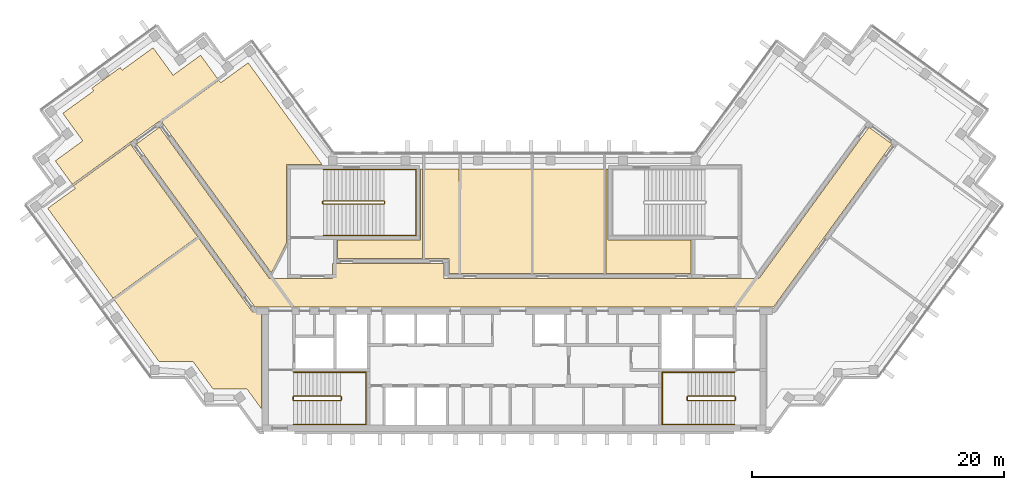
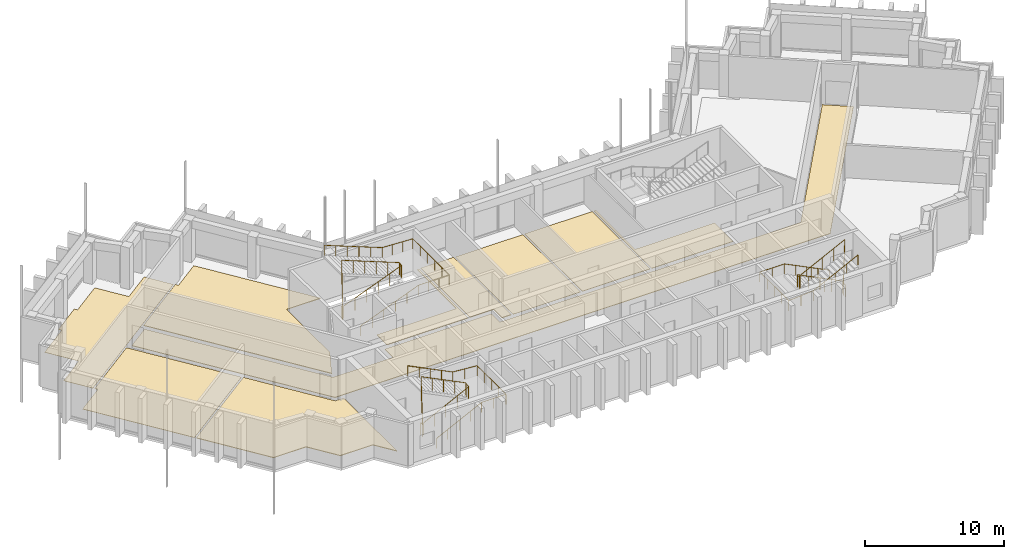
# One storey, part 13 of 14: 10 coverings, 6 railings.
"""IFC4 building model written with IfcOpenShell, lengths in metres."""

from ifc_helpers import new_model, si_unit, direction, frame, origin, origin_2d, place, context, subcontext, project, spatial, polyline, circle, outline, extrude, material, layer, layer_set, type_object, element, save


model = new_model("IFC4")

# Units and contexts
model_context = context("Model", 3, precision=1e-05, world=origin(), true_north=direction((0.0, 1.0)))
body_context = subcontext(model_context, "Body", "Model", "MODEL_VIEW")
ifc_project = project(units=[si_unit("LENGTHUNIT", "METRE"), si_unit("AREAUNIT", "SQUARE_METRE"), si_unit("VOLUMEUNIT", "CUBIC_METRE"), si_unit("PLANEANGLEUNIT", "RADIAN"), si_unit("MASSUNIT", "GRAM", prefix="KILO")], contexts=[model_context])

# Site, building, storey
site_placement = place(None, origin())
site = spatial("IfcSite", under=ifc_project, at=site_placement, CompositionType="ELEMENT")
building_placement = place(site_placement, origin())
building = spatial("IfcBuilding", under=site, at=building_placement, Name="Quipu Civic Tower", CompositionType="ELEMENT")
storey_placement = place(building_placement, frame((0.0, 0.0, 335.0)))
storey = spatial("IfcBuildingStorey", under=building, at=storey_placement, Name="L78", CompositionType="ELEMENT", Elevation=335.0)

# Coverings
ifc_material_1 = material(Name="Carpet tile on raised access floor")
ifc_layer_1 = layer(ifc_material_1, 0.02001953125)
ifc_layer_set_1 = layer_set([ifc_layer_1], Name="Carpet tile on raised access floor")
covering_type_1 = type_object("IfcCoveringType", Name="Carpet tile floor finish 20", PredefinedType="FLOORING", material=ifc_layer_set_1)
covering_1_placement = place(storey_placement, origin())
element("IfcCovering", 1, at=covering_1_placement, inside=storey, type_object=covering_type_1, Name="Carpet tile floor finish 20", PredefinedType="FLOORING", context=body_context, shape_type="SweptSolid", body=[
    extrude(outline(polyline([(-36.425048828125, 10.47705078125), (-34.240966796875, 12.06396484375), (-35.826904296875, 14.248046875), (-33.3701171875, 16.032958984375), (-33.52197265625, 16.2451171875), (-31.27099609375, 17.8798828125), (-31.116943359375, 17.6708984375), (-28.658935546875, 19.455078125), (-27.073974609375, 17.27197265625), (-24.888916015625, 18.85791015625), (-23.531005859375, 16.989013671875), (-35.068115234375, 8.60791015625), (-36.425048828125, 10.47705078125)])), origin(), (0.0, 0.0, 1.0), 0.02001953125),
])
covering_2_placement = place(storey_placement, origin())
element("IfcCovering", 2, at=covering_2_placement, inside=storey, type_object=covering_type_1, Name="Carpet tile floor finish 20", PredefinedType="FLOORING", context=body_context, shape_type="SweptSolid", body=[
    extrude(outline(polyline([(-4.2490234375, 9.830078125), (1.368896484375, 9.830078125), (1.368896484375, 1.52001953125), (-4.2490234375, 1.52001953125), (-4.2490234375, 9.830078125)])), origin(), (0.0, 0.0, 1.0), 0.02001953125),
])
ifc_material_2 = material(Name="Ceramic floor tile")
ifc_layer_2 = layer(ifc_material_2, 0.030029296875)
ifc_layer_set_2 = layer_set([ifc_layer_2], Name="Ceramic floor tile")
covering_type_2 = type_object("IfcCoveringType", Name="Ceramic tile floor finish 30", PredefinedType="FLOORING", material=ifc_layer_set_2)
covering_3_placement = place(storey_placement, origin())
element("IfcCovering", 3, at=covering_3_placement, inside=storey, type_object=covering_type_2, Name="Ceramic tile floor finish 30", PredefinedType="FLOORING", context=body_context, shape_type="SweptSolid", body=[
    extrude(outline(polyline([(1.510009765625, 9.830078125), (7.1279296875, 9.830078125), (7.1279296875, 1.52001953125), (1.510009765625, 1.52001953125), (1.510009765625, 9.830078125)])), origin(), (0.0, 0.0, 1.0), 0.030029296875),
])
covering_4_placement = place(storey_placement, origin())
element("IfcCovering", 4, at=covering_4_placement, inside=storey, type_object=covering_type_2, Name="Ceramic tile floor finish 30", PredefinedType="FLOORING", context=body_context, shape_type="SweptSolid", body=[
    extrude(outline(polyline([(-37.02197265625, 6.7060546875), (-34.839111328125, 8.291015625), (-34.985107421875, 8.493896484375), (-30.446044921875, 11.7919921875), (-25.117919921875, 4.4580078125), (-31.841064453125, -0.426025390625), (-37.02197265625, 6.7060546875)])), origin(), (0.0, 0.0, 1.0), 0.030029296875),
])
covering_5_placement = place(storey_placement, origin())
element("IfcCovering", 5, at=covering_5_placement, inside=storey, type_object=covering_type_2, Name="Ceramic tile floor finish 30", PredefinedType="FLOORING", context=body_context, shape_type="SweptSolid", body=[
    extrude(outline(polyline([(-14.030029296875, 4.179931640625), (-7.430908203125, 4.179931640625), (-7.429931640625, 9.830078125), (-7.26806640625, 9.830078125), (-7.26806640625, 2.719970703125), (-14.030029296875, 2.719970703125), (-14.030029296875, 4.179931640625)])), origin(), (0.0, 0.0, 1.0), 0.030029296875),
])
covering_6_placement = place(storey_placement, origin())
element("IfcCovering", 6, at=covering_6_placement, inside=storey, type_object=covering_type_2, Name="Ceramic tile floor finish 30", PredefinedType="FLOORING", context=body_context, shape_type="SweptSolid", body=[
    extrude(outline(polyline([(7.26806640625, 1.52001953125), (7.26806640625, 9.830078125), (7.429931640625, 9.830078125), (7.429931640625, 4.180908203125), (14.030029296875, 4.179931640625), (14.030029296875, 1.52001953125), (7.26806640625, 1.52001953125)])), origin(), (0.0, 0.0, 1.0), 0.030029296875),
])
ifc_material_3 = material(Name="Sealed cement screed")
ifc_layer_3 = layer(ifc_material_3, 0.050048828125)
ifc_layer_set_3 = layer_set([ifc_layer_3], Name="Sealed cement screed")
covering_type_3 = type_object("IfcCoveringType", Name="Sealed screed floor finish 50", PredefinedType="FLOORING", material=ifc_layer_set_3)
covering_7_placement = place(storey_placement, origin())
element("IfcCovering", 7, at=covering_7_placement, inside=storey, type_object=covering_type_3, Name="Sealed screed floor finish 50", PredefinedType="FLOORING", context=body_context, shape_type="SweptSolid", body=[
    extrude(outline(polyline([(-7.1279296875, 2.719970703125), (-7.1279296875, 9.830078125), (-4.388916015625, 9.830078125), (-4.388916015625, 1.52001953125), (-5.179931640625, 1.52001953125), (-5.180908203125, 2.719970703125), (-7.1279296875, 2.719970703125)])), origin(), (0.0, 0.0, 1.0), 0.050048828125),
])
covering_8_placement = place(storey_placement, origin())
element("IfcCovering", 8, at=covering_8_placement, inside=storey, type_object=covering_type_3, Name="Sealed screed floor finish 50", PredefinedType="FLOORING", context=body_context, shape_type="SweptSolid", body=[
    extrude(outline(polyline([(-27.987060546875, 13.5791015625), (-23.447998046875, 16.876953125), (-23.299072265625, 16.676025390625), (-21.115966796875, 18.260986328125), (-15.238037109375, 10.169921875), (-18.070068359375, 10.1689453125), (-18.070068359375, 3.94189453125), (-19.27197265625, 1.583984375), (-27.987060546875, 13.5791015625)])), origin(), (0.0, 0.0, 1.0), 0.050048828125),
])
covering_9_placement = place(storey_placement, origin())
element("IfcCovering", 9, at=covering_9_placement, inside=storey, type_object=covering_type_3, Name="Sealed screed floor finish 50", PredefinedType="FLOORING", context=body_context, shape_type="SweptSolid", body=[
    extrude(outline(polyline([(-31.758056640625, -0.5390625), (-25.034912109375, 4.344970703125), (-20.77490234375, -1.51904296875), (-20.070068359375, -1.52001953125), (-20.070068359375, -9.195068359375), (-21.196044921875, -7.64599609375), (-23.89501953125, -7.64599609375), (-25.48193359375, -5.4619140625), (-28.181884765625, -5.4609375), (-31.758056640625, -0.5390625)])), origin(), (0.0, 0.0, 1.0), 0.050048828125),
])

# Railings
ifc_material_4 = material(Name="Stainless steel", Category="steel")
railing_type_1 = type_object("IfcRailingType", Name="Stair guard 1100", PredefinedType="GUARDRAIL", material=ifc_material_4)
railing_1_placement = place(storey_placement, frame((-17.5, -8.550048828125, 0.15380859375)))
element("IfcRailing", 10, at=railing_1_placement, inside=storey, type_object=railing_type_1, Name="Stair 1 guard", PredefinedType="GUARDRAIL", context=body_context, shape_type="SweptSolid", body=[
    extrude(circle(Radius=0.02392578125, at=origin_2d()), frame((0.0, 0.0, 1.076171875), z_axis=(0.895751851347, 0.0, 0.444554407028), x_axis=(0.0, 1.0, 0.0)), (0.0, 0.0, 1.0), 4.15283203125),
    extrude(circle(Radius=0.02392578125, at=origin_2d()), frame((3.719970703125, 0.0, 2.92236328125), z_axis=(0.707106781187, 0.707106781187, 0.0), x_axis=(-0.707106781187, 0.707106781187, 0.0)), (0.0, 0.0, 1.0), 0.07080078125),
    extrude(circle(Radius=0.02392578125, at=origin_2d()), frame((3.77001953125, 0.050048828125, 2.92236328125), z_axis=(0.0, 1.0, 0.0), x_axis=(-1.0, 0.0, 0.0)), (0.0, 0.0, 1.0), 0.25),
    extrude(circle(Radius=0.02392578125, at=origin_2d()), frame((3.77001953125, 0.300048828125, 2.92236328125), z_axis=(-0.295599637079, 0.295599637079, 0.908428152975), x_axis=(-0.707106781187, -0.707106781187, 0.0)), (0.0, 0.0, 1.0), 0.16943359375),
    extrude(circle(Radius=0.02392578125, at=origin_2d()), frame((3.719970703125, 0.35009765625, 3.076171875), z_axis=(-0.895751851347, 0.0, 0.444554407028), x_axis=(0.0, -1.0, 0.0)), (0.0, 0.0, 1.0), 4.15283203125),
    extrude(circle(Radius=0.02392578125, at=origin_2d()), frame((0.0, 0.35009765625, 4.92236328125), z_axis=(-0.012476181752, -0.074796231092, -0.997120789425), x_axis=(0.986372223864, -0.164529134168, 0.0)), (0.0, 0.0, 1.0), 4.011474609375),
    extrude(circle(Radius=0.02392578125, at=origin_2d()), frame((-0.050048828125, 0.050048828125, 0.92236328125), z_axis=(0.0, 1.0, 0.0), x_axis=(-1.0, 0.0, 0.0)), (0.0, 0.0, 1.0), 0.25),
    extrude(circle(Radius=0.02099609375, at=origin_2d()), origin(), (0.0, 0.0, 1.0), 1.052001953125),
    extrude(circle(Radius=0.02099609375, at=origin_2d()), frame((0.929931640625, 0.0, 0.46142578125)), (0.0, 0.0, 1.0), 1.052001953125),
    extrude(circle(Radius=0.02099609375, at=origin_2d()), frame((1.85986328125, 0.0, 0.923095703125)), (0.0, 0.0, 1.0), 1.052001953125),
    extrude(circle(Radius=0.02099609375, at=origin_2d()), frame((2.7900390625, 0.0, 1.384765625)), (0.0, 0.0, 1.0), 1.052001953125),
    extrude(circle(Radius=0.02099609375, at=origin_2d()), frame((3.719970703125, 0.0, 1.84619140625)), (0.0, 0.0, 1.0), 1.052001953125),
    extrude(circle(Radius=0.02099609375, at=origin_2d()), frame((3.77001953125, 0.050048828125, 1.84619140625)), (0.0, 0.0, 1.0), 1.052001953125),
    extrude(circle(Radius=0.02099609375, at=origin_2d()), frame((3.77001953125, 0.300048828125, 1.84619140625)), (0.0, 0.0, 1.0), 1.052001953125),
    extrude(circle(Radius=0.02099609375, at=origin_2d()), frame((3.719970703125, 0.35009765625, 2.0)), (0.0, 0.0, 1.0), 1.052001953125),
    extrude(circle(Radius=0.02099609375, at=origin_2d()), frame((2.7900390625, 0.35009765625, 2.46142578125)), (0.0, 0.0, 1.0), 1.052001953125),
    extrude(circle(Radius=0.02099609375, at=origin_2d()), frame((1.85986328125, 0.35009765625, 2.923095703125)), (0.0, 0.0, 1.0), 1.052001953125),
    extrude(circle(Radius=0.02099609375, at=origin_2d()), frame((0.929931640625, 0.35009765625, 3.384765625)), (0.0, 0.0, 1.0), 1.052001953125),
    extrude(circle(Radius=0.02099609375, at=origin_2d()), frame((0.0, 0.35009765625, 3.84619140625)), (0.0, 0.0, 1.0), 1.052001953125),
    extrude(circle(Radius=0.02099609375, at=origin_2d()), frame((-0.012451171875, 0.275146484375, 2.84619140625)), (0.0, 0.0, 1.0), 1.052001953125),
    extrude(circle(Radius=0.02099609375, at=origin_2d()), frame((-0.02490234375, 0.2001953125, 1.84619140625)), (0.0, 0.0, 1.0), 1.052001953125),
    extrude(circle(Radius=0.02099609375, at=origin_2d()), frame((-0.03759765625, 0.125, 0.84619140625)), (0.0, 0.0, 1.0), 1.052001953125),
    extrude(circle(Radius=0.02099609375, at=origin_2d()), frame((-0.050048828125, 0.050048828125, -0.15380859375)), (0.0, 0.0, 1.0), 1.052001953125),
    extrude(circle(Radius=0.02099609375, at=origin_2d()), frame((-0.050048828125, 0.300048828125, -0.15380859375)), (0.0, 0.0, 1.0), 1.052001953125),
])
railing_2_placement = place(storey_placement, frame((17.5, -8.199951171875, 0.15380859375)))
element("IfcRailing", 11, at=railing_2_placement, inside=storey, type_object=railing_type_1, Name="Stair 2 guard", PredefinedType="GUARDRAIL", context=body_context, shape_type="SweptSolid", body=[
    extrude(circle(Radius=0.02392578125, at=origin_2d()), frame((0.0, 0.0, 1.076171875), z_axis=(-0.895751851347, 0.0, 0.444554407028), x_axis=(0.0, -1.0, 0.0)), (0.0, 0.0, 1.0), 4.15283203125),
    extrude(circle(Radius=0.02392578125, at=origin_2d()), frame((-3.719970703125, 0.0, 2.92236328125), z_axis=(-0.707106781187, -0.707106781187, 0.0), x_axis=(0.707106781187, -0.707106781187, 0.0)), (0.0, 0.0, 1.0), 0.07080078125),
    extrude(circle(Radius=0.02392578125, at=origin_2d()), frame((-3.77001953125, -0.050048828125, 2.92236328125), z_axis=(0.0, -1.0, 0.0), x_axis=(1.0, 0.0, 0.0)), (0.0, 0.0, 1.0), 0.25),
    extrude(circle(Radius=0.02392578125, at=origin_2d()), frame((-3.77001953125, -0.300048828125, 2.92236328125), z_axis=(0.295599637079, -0.295599637079, 0.908428152975), x_axis=(0.707106781187, 0.707106781187, 0.0)), (0.0, 0.0, 1.0), 0.16943359375),
    extrude(circle(Radius=0.02392578125, at=origin_2d()), frame((-3.719970703125, -0.35009765625, 3.076171875), z_axis=(0.895751851347, 0.0, 0.444554407028), x_axis=(0.0, 1.0, 0.0)), (0.0, 0.0, 1.0), 4.15283203125),
    extrude(circle(Radius=0.02392578125, at=origin_2d()), frame((0.0, -0.35009765625, 4.92236328125), z_axis=(0.012476181752, 0.074796231092, -0.997120789425), x_axis=(-0.986372223864, 0.164529134168, 0.0)), (0.0, 0.0, 1.0), 4.011474609375),
    extrude(circle(Radius=0.02392578125, at=origin_2d()), frame((0.050048828125, -0.050048828125, 0.92236328125), z_axis=(0.0, -1.0, 0.0), x_axis=(1.0, 0.0, 0.0)), (0.0, 0.0, 1.0), 0.25),
    extrude(circle(Radius=0.02099609375, at=origin_2d()), origin(), (0.0, 0.0, 1.0), 1.052001953125),
    extrude(circle(Radius=0.02099609375, at=origin_2d()), frame((-0.929931640625, 0.0, 0.46142578125)), (0.0, 0.0, 1.0), 1.052001953125),
    extrude(circle(Radius=0.02099609375, at=origin_2d()), frame((-1.85986328125, 0.0, 0.923095703125)), (0.0, 0.0, 1.0), 1.052001953125),
    extrude(circle(Radius=0.02099609375, at=origin_2d()), frame((-2.7900390625, 0.0, 1.384765625)), (0.0, 0.0, 1.0), 1.052001953125),
    extrude(circle(Radius=0.02099609375, at=origin_2d()), frame((-3.719970703125, 0.0, 1.84619140625)), (0.0, 0.0, 1.0), 1.052001953125),
    extrude(circle(Radius=0.02099609375, at=origin_2d()), frame((-3.77001953125, -0.050048828125, 1.84619140625)), (0.0, 0.0, 1.0), 1.052001953125),
    extrude(circle(Radius=0.02099609375, at=origin_2d()), frame((-3.77001953125, -0.300048828125, 1.84619140625)), (0.0, 0.0, 1.0), 1.052001953125),
    extrude(circle(Radius=0.02099609375, at=origin_2d()), frame((-3.719970703125, -0.35009765625, 2.0)), (0.0, 0.0, 1.0), 1.052001953125),
    extrude(circle(Radius=0.02099609375, at=origin_2d()), frame((-2.7900390625, -0.35009765625, 2.46142578125)), (0.0, 0.0, 1.0), 1.052001953125),
    extrude(circle(Radius=0.02099609375, at=origin_2d()), frame((-1.85986328125, -0.35009765625, 2.923095703125)), (0.0, 0.0, 1.0), 1.052001953125),
    extrude(circle(Radius=0.02099609375, at=origin_2d()), frame((-0.929931640625, -0.35009765625, 3.384765625)), (0.0, 0.0, 1.0), 1.052001953125),
    extrude(circle(Radius=0.02099609375, at=origin_2d()), frame((0.0, -0.35009765625, 3.84619140625)), (0.0, 0.0, 1.0), 1.052001953125),
    extrude(circle(Radius=0.02099609375, at=origin_2d()), frame((0.012451171875, -0.275146484375, 2.84619140625)), (0.0, 0.0, 1.0), 1.052001953125),
    extrude(circle(Radius=0.02099609375, at=origin_2d()), frame((0.02490234375, -0.2001953125, 1.84619140625)), (0.0, 0.0, 1.0), 1.052001953125),
    extrude(circle(Radius=0.02099609375, at=origin_2d()), frame((0.03759765625, -0.125, 0.84619140625)), (0.0, 0.0, 1.0), 1.052001953125),
    extrude(circle(Radius=0.02099609375, at=origin_2d()), frame((0.050048828125, -0.050048828125, -0.15380859375)), (0.0, 0.0, 1.0), 1.052001953125),
    extrude(circle(Radius=0.02099609375, at=origin_2d()), frame((0.050048828125, -0.300048828125, -0.15380859375)), (0.0, 0.0, 1.0), 1.052001953125),
])
railing_3_placement = place(storey_placement, frame((-15.14990234375, 7.050048828125, 0.11767578125)))
element("IfcRailing", 12, at=railing_3_placement, inside=storey, type_object=railing_type_1, Name="Stair 3 guard", PredefinedType="GUARDRAIL", context=body_context, shape_type="SweptSolid", body=[
    extrude(circle(Radius=0.02392578125, at=origin_2d()), frame((0.0, 0.0, 1.076171875), z_axis=(0.930970042603, 0.0, 0.365095576219), x_axis=(0.0, 1.0, 0.0)), (0.0, 0.0, 1.0), 5.15576171875),
    extrude(circle(Radius=0.02392578125, at=origin_2d()), frame((4.7998046875, 0.0, 2.95849609375), z_axis=(0.707106781187, 0.707106781187, 0.0), x_axis=(-0.707106781187, 0.707106781187, 0.0)), (0.0, 0.0, 1.0), 0.07080078125),
    extrude(circle(Radius=0.02392578125, at=origin_2d()), frame((4.849853515625, 0.050048828125, 2.95849609375), z_axis=(0.0, 1.0, 0.0), x_axis=(-1.0, 0.0, 0.0)), (0.0, 0.0, 1.0), 0.14990234375),
    extrude(circle(Radius=0.02392578125, at=origin_2d()), frame((4.849853515625, 0.199951171875, 2.95849609375), z_axis=(-0.364463019033, 0.364463019033, 0.856932561824), x_axis=(-0.707106781187, -0.707106781187, 0.0)), (0.0, 0.0, 1.0), 0.13720703125),
    extrude(circle(Radius=0.02392578125, at=origin_2d()), frame((4.7998046875, 0.25, 3.076171875), z_axis=(-0.930970042603, 0.0, 0.365095576219), x_axis=(0.0, -1.0, 0.0)), (0.0, 0.0, 1.0), 5.15576171875),
    extrude(circle(Radius=0.02392578125, at=origin_2d()), frame((0.0, 0.25, 4.95849609375), z_axis=(-0.012495627992, -0.049921557685, -0.998674970829), x_axis=(0.970072785993, -0.242814311512, 0.0)), (0.0, 0.0, 1.0), 4.00537109375),
    extrude(circle(Radius=0.02392578125, at=origin_2d()), frame((-0.050048828125, 0.050048828125, 0.95849609375), z_axis=(0.0, 1.0, 0.0), x_axis=(-1.0, 0.0, 0.0)), (0.0, 0.0, 1.0), 0.14990234375),
    extrude(circle(Radius=0.02099609375, at=origin_2d()), origin(), (0.0, 0.0, 1.0), 1.052001953125),
    extrude(circle(Radius=0.02099609375, at=origin_2d()), frame((0.9599609375, 0.0, 0.37646484375)), (0.0, 0.0, 1.0), 1.052001953125),
    extrude(circle(Radius=0.02099609375, at=origin_2d()), frame((1.919921875, 0.0, 0.7529296875)), (0.0, 0.0, 1.0), 1.052001953125),
    extrude(circle(Radius=0.02099609375, at=origin_2d()), frame((2.8798828125, 0.0, 1.12939453125)), (0.0, 0.0, 1.0), 1.052001953125),
    extrude(circle(Radius=0.02099609375, at=origin_2d()), frame((3.83984375, 0.0, 1.505859375)), (0.0, 0.0, 1.0), 1.052001953125),
    extrude(circle(Radius=0.02099609375, at=origin_2d()), frame((4.7998046875, 0.0, 1.88232421875)), (0.0, 0.0, 1.0), 1.052001953125),
    extrude(circle(Radius=0.02099609375, at=origin_2d()), frame((4.849853515625, 0.050048828125, 1.88232421875)), (0.0, 0.0, 1.0), 1.052001953125),
    extrude(circle(Radius=0.02099609375, at=origin_2d()), frame((4.849853515625, 0.199951171875, 1.88232421875)), (0.0, 0.0, 1.0), 1.052001953125),
    extrude(circle(Radius=0.02099609375, at=origin_2d()), frame((4.7998046875, 0.25, 2.0)), (0.0, 0.0, 1.0), 1.052001953125),
    extrude(circle(Radius=0.02099609375, at=origin_2d()), frame((3.83984375, 0.25, 2.37646484375)), (0.0, 0.0, 1.0), 1.052001953125),
    extrude(circle(Radius=0.02099609375, at=origin_2d()), frame((2.8798828125, 0.25, 2.7529296875)), (0.0, 0.0, 1.0), 1.052001953125),
    extrude(circle(Radius=0.02099609375, at=origin_2d()), frame((1.919921875, 0.25, 3.12939453125)), (0.0, 0.0, 1.0), 1.052001953125),
    extrude(circle(Radius=0.02099609375, at=origin_2d()), frame((0.9599609375, 0.25, 3.505859375)), (0.0, 0.0, 1.0), 1.052001953125),
    extrude(circle(Radius=0.02099609375, at=origin_2d()), frame((0.0, 0.25, 3.88232421875)), (0.0, 0.0, 1.0), 1.052001953125),
    extrude(circle(Radius=0.02099609375, at=origin_2d()), frame((-0.012451171875, 0.199951171875, 2.88232421875)), (0.0, 0.0, 1.0), 1.052001953125),
    extrude(circle(Radius=0.02099609375, at=origin_2d()), frame((-0.02490234375, 0.14990234375, 1.88232421875)), (0.0, 0.0, 1.0), 1.052001953125),
    extrude(circle(Radius=0.02099609375, at=origin_2d()), frame((-0.03759765625, 0.10009765625, 0.88232421875)), (0.0, 0.0, 1.0), 1.052001953125),
    extrude(circle(Radius=0.02099609375, at=origin_2d()), frame((-0.050048828125, 0.050048828125, -0.11767578125)), (0.0, 0.0, 1.0), 1.052001953125),
    extrude(circle(Radius=0.02099609375, at=origin_2d()), frame((-0.050048828125, 0.199951171875, -0.11767578125)), (0.0, 0.0, 1.0), 1.052001953125),
])
ifc_material_5 = material(Name="Stainless steel", Category="steel")
railing_type_2 = type_object("IfcRailingType", Name="Stair handrail", PredefinedType="HANDRAIL", material=ifc_material_5)
railing_4_placement = place(storey_placement, frame((-17.5, -10.449951171875, 0.15380859375)))
element("IfcRailing", 13, at=railing_4_placement, inside=storey, type_object=railing_type_2, Name="Stair 1 handrail", PredefinedType="HANDRAIL", context=body_context, shape_type="SweptSolid", body=[
    extrude(circle(Radius=0.02392578125, at=origin_2d()), frame((0.0, 0.0, 0.8759765625), z_axis=(0.895751851347, 0.0, 0.444554407028), x_axis=(0.0, 1.0, 0.0)), (0.0, 0.0, 1.0), 4.15283203125),
    extrude(circle(Radius=0.02392578125, at=origin_2d()), frame((3.719970703125, 0.0, 2.72216796875), z_axis=(1.0, 0.0, 0.0), x_axis=(0.0, 1.0, 0.0)), (0.0, 0.0, 1.0), 2.030029296875),
    extrude(circle(Radius=0.02392578125, at=origin_2d()), frame((5.75, 0.0, 2.72216796875), z_axis=(0.0, 1.0, 0.0), x_axis=(-1.0, 0.0, 0.0)), (0.0, 0.0, 1.0), 4.14990234375),
    extrude(circle(Radius=0.02392578125, at=origin_2d()), frame((5.75, 4.14990234375, 2.72216796875), z_axis=(-0.997142003663, 0.0, 0.075550145798), x_axis=(0.0, -1.0, 0.0)), (0.0, 0.0, 1.0), 2.035888671875),
    extrude(circle(Radius=0.02392578125, at=origin_2d()), frame((3.719970703125, 4.14990234375, 2.8759765625), z_axis=(-0.895751851347, 0.0, 0.444554407028), x_axis=(0.0, -1.0, 0.0)), (0.0, 0.0, 1.0), 4.15283203125),
    extrude(circle(Radius=0.02099609375, at=origin_2d()), origin(), (0.0, 0.0, 1.0), 0.851806640625),
    extrude(circle(Radius=0.02099609375, at=origin_2d()), frame((0.929931640625, 0.0, 0.46142578125)), (0.0, 0.0, 1.0), 0.851806640625),
    extrude(circle(Radius=0.02099609375, at=origin_2d()), frame((1.85986328125, 0.0, 0.923095703125)), (0.0, 0.0, 1.0), 0.851806640625),
    extrude(circle(Radius=0.02099609375, at=origin_2d()), frame((2.7900390625, 0.0, 1.384765625)), (0.0, 0.0, 1.0), 0.851806640625),
    extrude(circle(Radius=0.02099609375, at=origin_2d()), frame((3.719970703125, 0.0, 1.84619140625)), (0.0, 0.0, 1.0), 0.851806640625),
    extrude(circle(Radius=0.02099609375, at=origin_2d()), frame((4.73486328125, 0.0, 1.84619140625)), (0.0, 0.0, 1.0), 0.851806640625),
    extrude(circle(Radius=0.02099609375, at=origin_2d()), frame((5.75, 0.0, 1.84619140625)), (0.0, 0.0, 1.0), 0.851806640625),
    extrude(circle(Radius=0.02099609375, at=origin_2d()), frame((5.75, 1.03759765625, 1.84619140625)), (0.0, 0.0, 1.0), 0.851806640625),
    extrude(circle(Radius=0.02099609375, at=origin_2d()), frame((5.75, 2.074951171875, 1.84619140625)), (0.0, 0.0, 1.0), 0.851806640625),
    extrude(circle(Radius=0.02099609375, at=origin_2d()), frame((5.75, 3.1123046875, 1.84619140625)), (0.0, 0.0, 1.0), 0.851806640625),
    extrude(circle(Radius=0.02099609375, at=origin_2d()), frame((5.75, 4.14990234375, 1.84619140625)), (0.0, 0.0, 1.0), 0.851806640625),
    extrude(circle(Radius=0.02099609375, at=origin_2d()), frame((4.73486328125, 4.14990234375, 1.923095703125)), (0.0, 0.0, 1.0), 0.851806640625),
    extrude(circle(Radius=0.02099609375, at=origin_2d()), frame((3.719970703125, 4.14990234375, 2.0)), (0.0, 0.0, 1.0), 0.851806640625),
    extrude(circle(Radius=0.02099609375, at=origin_2d()), frame((2.7900390625, 4.14990234375, 2.46142578125)), (0.0, 0.0, 1.0), 0.851806640625),
    extrude(circle(Radius=0.02099609375, at=origin_2d()), frame((1.85986328125, 4.14990234375, 2.923095703125)), (0.0, 0.0, 1.0), 0.851806640625),
    extrude(circle(Radius=0.02099609375, at=origin_2d()), frame((0.929931640625, 4.14990234375, 3.384765625)), (0.0, 0.0, 1.0), 0.851806640625),
    extrude(circle(Radius=0.02099609375, at=origin_2d()), frame((0.0, 4.14990234375, 3.84619140625)), (0.0, 0.0, 1.0), 0.851806640625),
])
railing_5_placement = place(storey_placement, frame((17.5, -6.300048828125, 0.15380859375)))
element("IfcRailing", 14, at=railing_5_placement, inside=storey, type_object=railing_type_2, Name="Stair 2 handrail", PredefinedType="HANDRAIL", context=body_context, shape_type="SweptSolid", body=[
    extrude(circle(Radius=0.02392578125, at=origin_2d()), frame((0.0, 0.0, 0.8759765625), z_axis=(-0.895751851347, 0.0, 0.444554407028), x_axis=(0.0, -1.0, 0.0)), (0.0, 0.0, 1.0), 4.15283203125),
    extrude(circle(Radius=0.02392578125, at=origin_2d()), frame((-3.719970703125, 0.0, 2.72216796875), z_axis=(-1.0, 0.0, 0.0), x_axis=(0.0, -1.0, 0.0)), (0.0, 0.0, 1.0), 2.030029296875),
    extrude(circle(Radius=0.02392578125, at=origin_2d()), frame((-5.75, 0.0, 2.72216796875), z_axis=(0.0, -1.0, 0.0), x_axis=(1.0, 0.0, 0.0)), (0.0, 0.0, 1.0), 4.14990234375),
    extrude(circle(Radius=0.02392578125, at=origin_2d()), frame((-5.75, -4.14990234375, 2.72216796875), z_axis=(0.997142003663, 0.0, 0.075550145798), x_axis=(0.0, 1.0, 0.0)), (0.0, 0.0, 1.0), 2.035888671875),
    extrude(circle(Radius=0.02392578125, at=origin_2d()), frame((-3.719970703125, -4.14990234375, 2.8759765625), z_axis=(0.895751851347, 0.0, 0.444554407028), x_axis=(0.0, 1.0, 0.0)), (0.0, 0.0, 1.0), 4.15283203125),
    extrude(circle(Radius=0.02099609375, at=origin_2d()), origin(), (0.0, 0.0, 1.0), 0.851806640625),
    extrude(circle(Radius=0.02099609375, at=origin_2d()), frame((-0.929931640625, 0.0, 0.46142578125)), (0.0, 0.0, 1.0), 0.851806640625),
    extrude(circle(Radius=0.02099609375, at=origin_2d()), frame((-1.85986328125, 0.0, 0.923095703125)), (0.0, 0.0, 1.0), 0.851806640625),
    extrude(circle(Radius=0.02099609375, at=origin_2d()), frame((-2.7900390625, 0.0, 1.384765625)), (0.0, 0.0, 1.0), 0.851806640625),
    extrude(circle(Radius=0.02099609375, at=origin_2d()), frame((-3.719970703125, 0.0, 1.84619140625)), (0.0, 0.0, 1.0), 0.851806640625),
    extrude(circle(Radius=0.02099609375, at=origin_2d()), frame((-4.73486328125, 0.0, 1.84619140625)), (0.0, 0.0, 1.0), 0.851806640625),
    extrude(circle(Radius=0.02099609375, at=origin_2d()), frame((-5.75, 0.0, 1.84619140625)), (0.0, 0.0, 1.0), 0.851806640625),
    extrude(circle(Radius=0.02099609375, at=origin_2d()), frame((-5.75, -1.03759765625, 1.84619140625)), (0.0, 0.0, 1.0), 0.851806640625),
    extrude(circle(Radius=0.02099609375, at=origin_2d()), frame((-5.75, -2.074951171875, 1.84619140625)), (0.0, 0.0, 1.0), 0.851806640625),
    extrude(circle(Radius=0.02099609375, at=origin_2d()), frame((-5.75, -3.1123046875, 1.84619140625)), (0.0, 0.0, 1.0), 0.851806640625),
    extrude(circle(Radius=0.02099609375, at=origin_2d()), frame((-5.75, -4.14990234375, 1.84619140625)), (0.0, 0.0, 1.0), 0.851806640625),
    extrude(circle(Radius=0.02099609375, at=origin_2d()), frame((-4.73486328125, -4.14990234375, 1.923095703125)), (0.0, 0.0, 1.0), 0.851806640625),
    extrude(circle(Radius=0.02099609375, at=origin_2d()), frame((-3.719970703125, -4.14990234375, 2.0)), (0.0, 0.0, 1.0), 0.851806640625),
    extrude(circle(Radius=0.02099609375, at=origin_2d()), frame((-2.7900390625, -4.14990234375, 2.46142578125)), (0.0, 0.0, 1.0), 0.851806640625),
    extrude(circle(Radius=0.02099609375, at=origin_2d()), frame((-1.85986328125, -4.14990234375, 2.923095703125)), (0.0, 0.0, 1.0), 0.851806640625),
    extrude(circle(Radius=0.02099609375, at=origin_2d()), frame((-0.929931640625, -4.14990234375, 3.384765625)), (0.0, 0.0, 1.0), 0.851806640625),
    extrude(circle(Radius=0.02099609375, at=origin_2d()), frame((0.0, -4.14990234375, 3.84619140625)), (0.0, 0.0, 1.0), 0.851806640625),
])
railing_6_placement = place(storey_placement, frame((-15.14990234375, 4.550048828125, 0.11767578125)))
element("IfcRailing", 15, at=railing_6_placement, inside=storey, type_object=railing_type_2, Name="Stair 3 handrail", PredefinedType="HANDRAIL", context=body_context, shape_type="SweptSolid", body=[
    extrude(circle(Radius=0.02392578125, at=origin_2d()), frame((0.0, 0.0, 0.8759765625), z_axis=(0.930970042603, 0.0, 0.365095576219), x_axis=(0.0, 1.0, 0.0)), (0.0, 0.0, 1.0), 5.15576171875),
    extrude(circle(Radius=0.02392578125, at=origin_2d()), frame((4.7998046875, 0.0, 2.75830078125), z_axis=(1.0, 0.0, 0.0), x_axis=(0.0, 1.0, 0.0)), (0.0, 0.0, 1.0), 2.550048828125),
    extrude(circle(Radius=0.02392578125, at=origin_2d()), frame((7.349853515625, 0.0, 2.75830078125), z_axis=(0.0, 1.0, 0.0), x_axis=(-1.0, 0.0, 0.0)), (0.0, 0.0, 1.0), 5.25),
    extrude(circle(Radius=0.02392578125, at=origin_2d()), frame((7.349853515625, 5.25, 2.75830078125), z_axis=(-0.998936948642, 0.0, 0.04609742549), x_axis=(0.0, -1.0, 0.0)), (0.0, 0.0, 1.0), 2.552734375),
    extrude(circle(Radius=0.02392578125, at=origin_2d()), frame((4.7998046875, 5.25, 2.8759765625), z_axis=(-0.930970042603, 0.0, 0.365095576219), x_axis=(0.0, -1.0, 0.0)), (0.0, 0.0, 1.0), 5.15576171875),
    extrude(circle(Radius=0.02099609375, at=origin_2d()), origin(), (0.0, 0.0, 1.0), 0.851806640625),
    extrude(circle(Radius=0.02099609375, at=origin_2d()), frame((0.9599609375, 0.0, 0.37646484375)), (0.0, 0.0, 1.0), 0.851806640625),
    extrude(circle(Radius=0.02099609375, at=origin_2d()), frame((1.919921875, 0.0, 0.7529296875)), (0.0, 0.0, 1.0), 0.851806640625),
    extrude(circle(Radius=0.02099609375, at=origin_2d()), frame((2.8798828125, 0.0, 1.12939453125)), (0.0, 0.0, 1.0), 0.851806640625),
    extrude(circle(Radius=0.02099609375, at=origin_2d()), frame((3.83984375, 0.0, 1.505859375)), (0.0, 0.0, 1.0), 0.851806640625),
    extrude(circle(Radius=0.02099609375, at=origin_2d()), frame((4.7998046875, 0.0, 1.88232421875)), (0.0, 0.0, 1.0), 0.851806640625),
    extrude(circle(Radius=0.02099609375, at=origin_2d()), frame((5.64990234375, 0.0, 1.88232421875)), (0.0, 0.0, 1.0), 0.851806640625),
    extrude(circle(Radius=0.02099609375, at=origin_2d()), frame((6.499755859375, 0.0, 1.88232421875)), (0.0, 0.0, 1.0), 0.851806640625),
    extrude(circle(Radius=0.02099609375, at=origin_2d()), frame((7.349853515625, 0.0, 1.88232421875)), (0.0, 0.0, 1.0), 0.851806640625),
    extrude(circle(Radius=0.02099609375, at=origin_2d()), frame((7.349853515625, 1.050048828125, 1.88232421875)), (0.0, 0.0, 1.0), 0.851806640625),
    extrude(circle(Radius=0.02099609375, at=origin_2d()), frame((7.349853515625, 2.10009765625, 1.88232421875)), (0.0, 0.0, 1.0), 0.851806640625),
    extrude(circle(Radius=0.02099609375, at=origin_2d()), frame((7.349853515625, 3.14990234375, 1.88232421875)), (0.0, 0.0, 1.0), 0.851806640625),
    extrude(circle(Radius=0.02099609375, at=origin_2d()), frame((7.349853515625, 4.199951171875, 1.88232421875)), (0.0, 0.0, 1.0), 0.851806640625),
    extrude(circle(Radius=0.02099609375, at=origin_2d()), frame((7.349853515625, 5.25, 1.88232421875)), (0.0, 0.0, 1.0), 0.851806640625),
    extrude(circle(Radius=0.02099609375, at=origin_2d()), frame((6.499755859375, 5.25, 1.921630859375)), (0.0, 0.0, 1.0), 0.851806640625),
    extrude(circle(Radius=0.02099609375, at=origin_2d()), frame((5.64990234375, 5.25, 1.960693359375)), (0.0, 0.0, 1.0), 0.851806640625),
    extrude(circle(Radius=0.02099609375, at=origin_2d()), frame((4.7998046875, 5.25, 2.0)), (0.0, 0.0, 1.0), 0.851806640625),
    extrude(circle(Radius=0.02099609375, at=origin_2d()), frame((3.83984375, 5.25, 2.37646484375)), (0.0, 0.0, 1.0), 0.851806640625),
    extrude(circle(Radius=0.02099609375, at=origin_2d()), frame((2.8798828125, 5.25, 2.7529296875)), (0.0, 0.0, 1.0), 0.851806640625),
    extrude(circle(Radius=0.02099609375, at=origin_2d()), frame((1.919921875, 5.25, 3.12939453125)), (0.0, 0.0, 1.0), 0.851806640625),
    extrude(circle(Radius=0.02099609375, at=origin_2d()), frame((0.9599609375, 5.25, 3.505859375)), (0.0, 0.0, 1.0), 0.851806640625),
    extrude(circle(Radius=0.02099609375, at=origin_2d()), frame((0.0, 5.25, 3.88232421875)), (0.0, 0.0, 1.0), 0.851806640625),
])

# Covering
ifc_material_6 = material(Name="Terrazzo floor finish")
ifc_layer_4 = layer(ifc_material_6, 0.0400390625)
ifc_layer_set_4 = layer_set([ifc_layer_4], Name="Terrazzo floor finish")
covering_type_4 = type_object("IfcCoveringType", Name="Terrazzo floor finish 40", PredefinedType="FLOORING", material=ifc_layer_set_4)
covering_10_placement = place(storey_placement, origin())
element("IfcCovering", 16, at=covering_10_placement, inside=storey, type_object=covering_type_4, Name="Terrazzo floor finish 40", PredefinedType="FLOORING", context=body_context, shape_type="SweptSolid", body=[
    extrude(outline(polyline([(19.425048828125, 1.1298828125), (28.155029296875, 13.14697265625), (29.98291015625, 11.819091796875), (20.574951171875, -1.1298828125), (-20.574951171875, -1.1298828125), (-29.98291015625, 11.819091796875), (-28.155029296875, 13.14697265625), (-19.425048828125, 1.1298828125), (-14.429931640625, 1.1298828125), (-14.429931640625, 2.330078125), (-5.570068359375, 2.330078125), (-5.570068359375, 1.1298828125), (19.425048828125, 1.1298828125)])), origin(), (0.0, 0.0, 1.0), 0.0400390625),
])

save(model, "model.ifc")
